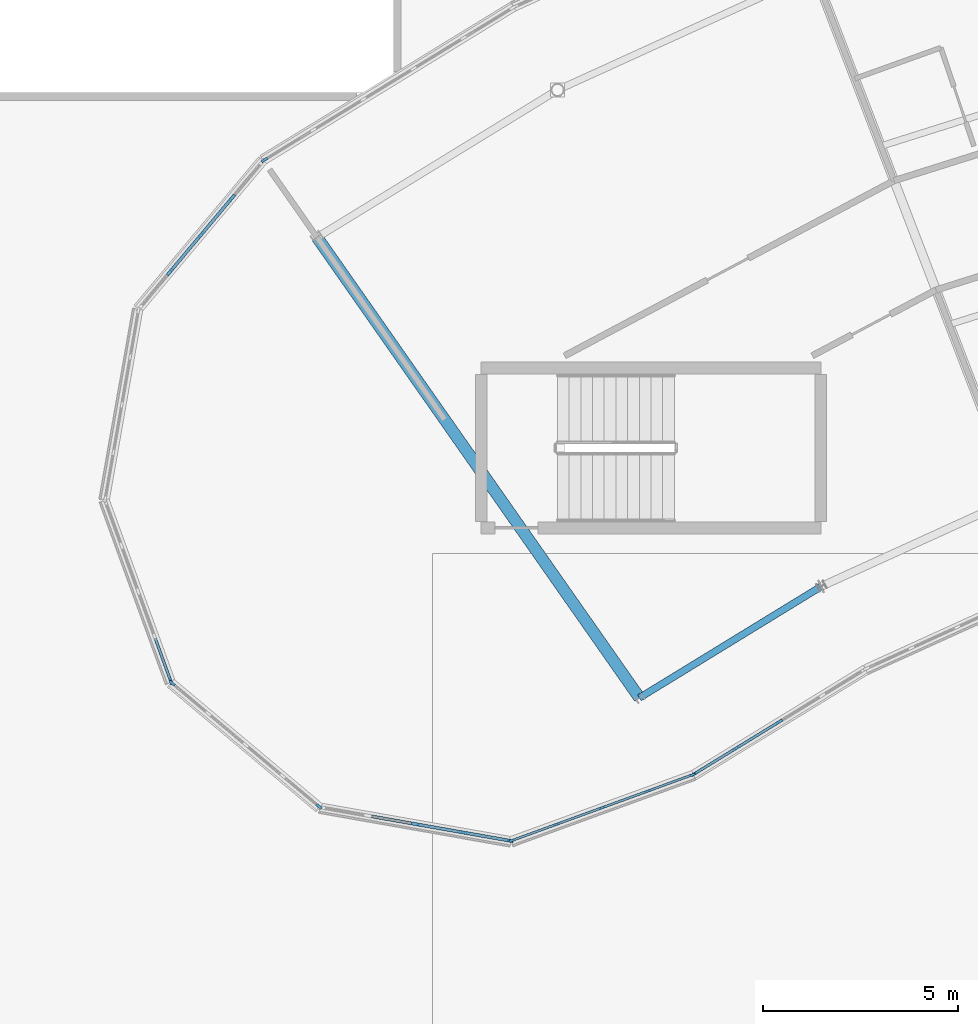
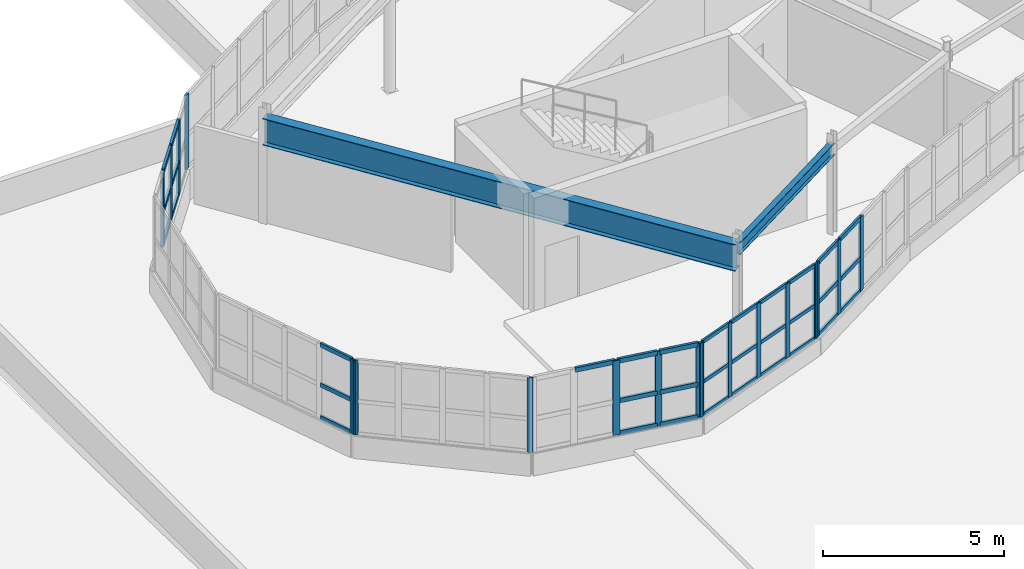
# One storey, part 40 of 128: 52 members, 2 beams, 7 elements without a shape of their own.
"""IFC4 building model written with IfcOpenShell, lengths in metres."""

from ifc_helpers import new_model, si_unit, direction, frame, origin, origin_2d, place, context, subcontext, project, spatial, rectangle, i_section, extrude, material, layer, layer_set, material_profile, profile_set, type_object, element, aggregate, save


model = new_model("IFC4")

# Units and contexts
model_context = context("Model", 3, precision=1e-05, world=origin(), true_north=direction((0.0, 1.0)))
body_context = subcontext(model_context, "Body", "Model", "MODEL_VIEW")
ifc_project = project(units=[si_unit("LENGTHUNIT", "METRE"), si_unit("AREAUNIT", "SQUARE_METRE"), si_unit("VOLUMEUNIT", "CUBIC_METRE"), si_unit("PLANEANGLEUNIT", "RADIAN"), si_unit("MASSUNIT", "GRAM", prefix="KILO")], contexts=[model_context])

# Site, building, storey
site_placement = place(None, origin())
site = spatial("IfcSite", under=ifc_project, at=site_placement, CompositionType="ELEMENT")
building_placement = place(site_placement, origin())
building = spatial("IfcBuilding", under=site, at=building_placement, Name="Tarnwether General Hospital", CompositionType="ELEMENT")
storey_placement = place(building_placement, frame((0.0, 0.0, 14.39990234375)))
storey = spatial("IfcBuildingStorey", under=building, at=storey_placement, Name="L03", CompositionType="ELEMENT", Elevation=14.39990234375)

# Beams
ifc_material_1 = material(Name="Steel Grade 350 (350 MPa)", Category="steel")
ifc_material_profile_1 = material_profile(ifc_material_1, i_section(OverallWidth=0.300048828125, OverallDepth=0.89990234375, WebThickness=0.011962890625, FlangeThickness=0.02001953125, at=origin_2d()), Name="900WB175")
ifc_profile_set_1 = profile_set([ifc_material_profile_1], Name="Steel Grade 350 (350 MPa)")
beam_type_1 = type_object("IfcBeamType", Name="BM-G01", PredefinedType="BEAM", material=ifc_profile_set_1)
beam_1_placement = place(storey_placement, frame((58.0439453125, 111.493896484375, 3.110107421875), z_axis=(0.573596601347, -0.819137924237, 0.0), x_axis=(0.819137924237, 0.573596601347, 0.0)))
element("IfcBeam", 1, at=beam_1_placement, inside=storey, type_object=beam_type_1, Name="Curved Ward NW Radial Girder BMG-L03-5804_11149-6630_9970-1917", PredefinedType="BEAM", context=body_context, shape_type="SweptSolid", body=[
    extrude(i_section(OverallWidth=0.300048828125, OverallDepth=0.89990234375, WebThickness=0.011962890625, FlangeThickness=0.02001953125, at=origin_2d()), origin(), (0.0, 0.0, 1.0), 14.400390625),
])
ifc_material_2 = material(Name="Steel Grade 350 (350 MPa)", Category="steel")
ifc_material_profile_2 = material_profile(ifc_material_2, i_section(OverallWidth=0.177978515625, OverallDepth=0.403076171875, WebThickness=0.007568359375, FlangeThickness=0.010986328125, at=origin_2d()), Name="410UB53.7")
ifc_profile_set_2 = profile_set([ifc_material_profile_2], Name="Steel Grade 350 (350 MPa)")
beam_type_2 = type_object("IfcBeamType", Name="BM-SP2", PredefinedType="SPANDREL", material=ifc_profile_set_2)
beam_2_placement = place(storey_placement, frame((66.303955078125, 99.697998046875, 3.358642578125), z_axis=(0.85265897909, 0.522467860617, 0.0), x_axis=(-0.522467860617, 0.85265897909, 0.0)))
element("IfcBeam", 2, at=beam_2_placement, inside=storey, type_object=beam_type_2, Name="Curved Ward NW Inner Spandrel BMG-L03-6630_9970-7097_10256-1924", PredefinedType="SPANDREL", context=body_context, shape_type="SweptSolid", body=[
    extrude(i_section(OverallWidth=0.177978515625, OverallDepth=0.403076171875, WebThickness=0.007568359375, FlangeThickness=0.010986328125, at=origin_2d()), origin(), (0.0, 0.0, 1.0), 5.469970703125),
])

# Curtain wall, members
ifc_material_3 = material(Name="Anodised aluminium", Category="aluminium")
ifc_layer_1 = layer(ifc_material_3, 0.159912109375)
ifc_layer_set_1 = layer_set([ifc_layer_1], Name="Anodised aluminium")
curtain_wall_type_1 = type_object("IfcCurtainWallType", Name="CW-03", PredefinedType="NOTDEFINED", material=ifc_layer_set_1)
curtain_wall_1_placement = place(storey_placement, origin())
curtain_wall_1 = element("IfcCurtainWall", 3, at=curtain_wall_1_placement, inside=storey, type_object=curtain_wall_type_1, Name="Curtain Wall CWG-L03-677_977-0005", PredefinedType="NOTDEFINED")
ifc_material_4 = material(Name="Anodised aluminium", Category="aluminium")
ifc_material_profile_3 = material_profile(ifc_material_4, rectangle(XDim=0.06005859375, YDim=0.159912109375, at=origin_2d()), Name="ALU-MUL-60x160")
ifc_profile_set_3 = profile_set([ifc_material_profile_3], Name="Anodised aluminium")
member_type_1 = type_object("IfcMemberType", Name="CW-ML1", PredefinedType="MULLION", material=ifc_profile_set_3)
member_1_placement = place(storey_placement, frame((67.65185546875, 97.7216796875, 1.050048828125), z_axis=(0.0, 0.0, 1.0), x_axis=(0.342130850834, -0.939652319163, 0.0)))
member_1 = element("IfcMember", 4, at=member_1_placement, type_object=member_type_1, Name="CW-03 mullion 1", PredefinedType="MULLION", context=body_context, shape_type="SweptSolid", body=[
    extrude(rectangle(XDim=0.06005859375, YDim=0.159912109375, at=origin_2d()), origin(), (0.0, 0.0, 1.0), 2.510009765625),
])
member_2_placement = place(storey_placement, frame((66.5126953125, 97.306884765625, 1.050048828125), z_axis=(0.0, 0.0, 1.0), x_axis=(0.342130850834, -0.939652319163, 0.0)))
member_2 = element("IfcMember", 5, at=member_2_placement, type_object=member_type_1, Name="CW-03 mullion 2", PredefinedType="MULLION", context=body_context, shape_type="SweptSolid", body=[
    extrude(rectangle(XDim=0.06005859375, YDim=0.159912109375, at=origin_2d()), origin(), (0.0, 0.0, 1.0), 2.510009765625),
])
member_3_placement = place(storey_placement, frame((65.345458984375, 96.882080078125, 1.050048828125), z_axis=(0.0, 0.0, 1.0), x_axis=(0.342130850834, -0.939652319163, 0.0)))
member_3 = element("IfcMember", 6, at=member_3_placement, type_object=member_type_1, Name="CW-03 mullion 3", PredefinedType="MULLION", context=body_context, shape_type="SweptSolid", body=[
    extrude(rectangle(XDim=0.06005859375, YDim=0.159912109375, at=origin_2d()), origin(), (0.0, 0.0, 1.0), 2.510009765625),
])
member_4_placement = place(storey_placement, frame((64.17822265625, 96.45703125, 1.050048828125), z_axis=(0.0, 0.0, 1.0), x_axis=(0.342130850834, -0.939652319163, 0.0)))
member_4 = element("IfcMember", 7, at=member_4_placement, type_object=member_type_1, Name="CW-03 mullion 4", PredefinedType="MULLION", context=body_context, shape_type="SweptSolid", body=[
    extrude(rectangle(XDim=0.06005859375, YDim=0.159912109375, at=origin_2d()), origin(), (0.0, 0.0, 1.0), 2.510009765625),
])
member_5_placement = place(storey_placement, frame((63.039306640625, 96.042236328125, 1.050048828125), z_axis=(0.0, 0.0, 1.0), x_axis=(0.342130850834, -0.939652319163, 0.0)))
member_5 = element("IfcMember", 8, at=member_5_placement, type_object=member_type_1, Name="CW-03 mullion 5", PredefinedType="MULLION", context=body_context, shape_type="SweptSolid", body=[
    extrude(rectangle(XDim=0.06005859375, YDim=0.159912109375, at=origin_2d()), origin(), (0.0, 0.0, 1.0), 2.510009765625),
])

# Curtain wall, member
curtain_wall_2_placement = place(storey_placement, origin())
curtain_wall_2 = element("IfcCurtainWall", 9, at=curtain_wall_2_placement, inside=storey, type_object=curtain_wall_type_1, Name="Curtain Wall CWG-L03-543_1001-0002", PredefinedType="NOTDEFINED")
ifc_material_5 = material(Name="Anodised aluminium", Category="aluminium")
ifc_material_profile_4 = material_profile(ifc_material_5, rectangle(XDim=0.070068359375, YDim=0.179931640625, at=origin_2d()), Name="ALU-MUL-70x180")
ifc_profile_set_4 = profile_set([ifc_material_profile_4], Name="Anodised aluminium")
member_type_2 = type_object("IfcMemberType", Name="CW-ML2", PredefinedType="MULLION", material=ifc_profile_set_4)
member_6_placement = place(storey_placement, frame((54.298095703125, 100.122802734375, 1.050048828125), z_axis=(0.0, 0.0, 1.0), x_axis=(-0.939717006582, -0.341953136469, 0.0)))
member_6 = element("IfcMember", 10, at=member_6_placement, type_object=member_type_2, Name="CW-03 mullion 1", PredefinedType="MULLION", context=body_context, shape_type="SweptSolid", body=[
    extrude(rectangle(XDim=0.070068359375, YDim=0.179931640625, at=origin_2d()), origin(), (0.0, 0.0, 1.0), 2.510009765625),
])

# Curtain wall, members
curtain_wall_3_placement = place(storey_placement, origin())
curtain_wall_3 = element("IfcCurtainWall", 11, at=curtain_wall_3_placement, inside=storey, type_object=curtain_wall_type_1, Name="Curtain Wall CWG-L03-721_1004-0006", PredefinedType="NOTDEFINED")
member_7_placement = place(storey_placement, frame((69.886962890625, 99.08447265625, 1.050048828125), z_axis=(0.0, 0.0, 1.0), x_axis=(0.522512231483, -0.852631789198, 0.0)))
member_7 = element("IfcMember", 12, at=member_7_placement, type_object=member_type_2, Name="CW-03 mullion 3", PredefinedType="MULLION", context=body_context, shape_type="SweptSolid", body=[
    extrude(rectangle(XDim=0.070068359375, YDim=0.179931640625, at=origin_2d()), origin(), (0.0, 0.0, 1.0), 2.510009765625),
])
member_8_placement = place(storey_placement, frame((68.783447265625, 98.408203125, 1.050048828125), z_axis=(0.0, 0.0, 1.0), x_axis=(0.522512231483, -0.852631789198, 0.0)))
member_8 = element("IfcMember", 13, at=member_8_placement, type_object=member_type_2, Name="CW-03 mullion 4", PredefinedType="MULLION", context=body_context, shape_type="SweptSolid", body=[
    extrude(rectangle(XDim=0.070068359375, YDim=0.179931640625, at=origin_2d()), origin(), (0.0, 0.0, 1.0), 2.510009765625),
])
member_9_placement = place(storey_placement, frame((67.7099609375, 97.750244140625, 1.050048828125), z_axis=(0.0, 0.0, 1.0), x_axis=(0.522512231483, -0.852631789198, 0.0)))
member_9 = element("IfcMember", 14, at=member_9_placement, type_object=member_type_2, Name="CW-03 mullion 5", PredefinedType="MULLION", context=body_context, shape_type="SweptSolid", body=[
    extrude(rectangle(XDim=0.070068359375, YDim=0.179931640625, at=origin_2d()), origin(), (0.0, 0.0, 1.0), 2.510009765625),
])

curtain_wall_4_placement = place(storey_placement, origin())
curtain_wall_4 = element("IfcCurtainWall", 15, at=curtain_wall_4_placement, inside=storey, type_object=curtain_wall_type_1, Name="Curtain Wall CWG-L03-581_969-0003", PredefinedType="NOTDEFINED")
ifc_material_6 = material(Name="Anodised aluminium", Category="aluminium")
ifc_material_profile_5 = material_profile(ifc_material_6, rectangle(XDim=0.06494140625, YDim=0.169921875, at=origin_2d()), Name="ALU-MUL-65x170")
ifc_profile_set_5 = profile_set([ifc_material_profile_5], Name="Anodised aluminium")
member_type_3 = type_object("IfcMemberType", Name="CW-ML3", PredefinedType="MULLION", material=ifc_profile_set_5)
member_10_placement = place(storey_placement, frame((58.092041015625, 96.915771484375, 1.050048828125), z_axis=(0.0, 0.0, 1.0), x_axis=(-0.64285227611, -0.765990176896, 0.0)))
member_10 = element("IfcMember", 16, at=member_10_placement, type_object=member_type_3, Name="CW-03 mullion 1", PredefinedType="MULLION", context=body_context, shape_type="SweptSolid", body=[
    extrude(rectangle(XDim=0.06494140625, YDim=0.169921875, at=origin_2d()), origin(), (0.0, 0.0, 1.0), 2.510009765625),
])
member_11_placement = place(storey_placement, frame((54.3349609375, 100.069091796875, 1.050048828125), z_axis=(0.0, 0.0, 1.0), x_axis=(-0.64285227611, -0.765990176896, 0.0)))
member_11 = element("IfcMember", 17, at=member_11_placement, type_object=member_type_3, Name="CW-03 mullion 5", PredefinedType="MULLION", context=body_context, shape_type="SweptSolid", body=[
    extrude(rectangle(XDim=0.06494140625, YDim=0.169921875, at=origin_2d()), origin(), (0.0, 0.0, 1.0), 2.510009765625),
])
aggregate(curtain_wall_4, [member_10, member_11])

# Curtain wall, member
ifc_material_7 = material(Name="Anodised aluminium", Category="aluminium")
ifc_layer_2 = layer(ifc_material_7, 0.159912109375)
ifc_layer_set_2 = layer_set([ifc_layer_2], Name="Anodised aluminium")
curtain_wall_type_2 = type_object("IfcCurtainWallType", Name="CW-01", PredefinedType="NOTDEFINED", material=ifc_layer_set_2)
curtain_wall_5_placement = place(storey_placement, origin())
curtain_wall_5 = element("IfcCurtainWall", 18, at=curtain_wall_5_placement, inside=storey, type_object=curtain_wall_type_2, Name="Curtain Wall CWG-L03-567_1135-0031", PredefinedType="NOTDEFINED")
member_12_placement = place(storey_placement, frame((56.69580078125, 113.47705078125, 1.050048828125), z_axis=(0.0, 0.0, 1.0), x_axis=(-0.522509056361, 0.852633734977, 0.0)))
member_12 = element("IfcMember", 19, at=member_12_placement, type_object=member_type_3, Name="CW-01 mullion 1", PredefinedType="MULLION", context=body_context, shape_type="SweptSolid", body=[
    extrude(rectangle(XDim=0.06494140625, YDim=0.169921875, at=origin_2d()), origin(), (0.0, 0.0, 1.0), 2.510009765625),
])
aggregate(curtain_wall_5, [member_12])

# Curtain wall, members
curtain_wall_6_placement = place(storey_placement, origin())
curtain_wall_6 = element("IfcCurtainWall", 20, at=curtain_wall_6_placement, inside=storey, type_object=curtain_wall_type_1, Name="Curtain Wall CWG-L03-630_960-0004", PredefinedType="NOTDEFINED")
ifc_material_8 = material(Name="Anodised aluminium", Category="aluminium")
ifc_material_profile_6 = material_profile(ifc_material_8, rectangle(XDim=0.080078125, YDim=0.199951171875, at=origin_2d()), Name="ALU-MUL-80x200")
ifc_profile_set_6 = profile_set([ifc_material_profile_6], Name="Anodised aluminium")
member_type_4 = type_object("IfcMemberType", Name="CW-ML4", PredefinedType="MULLION", material=ifc_profile_set_6)
member_13_placement = place(storey_placement, frame((62.9716796875, 96.0390625, 1.050048828125), z_axis=(0.0, 0.0, 1.0), x_axis=(-0.173659059054, -0.984805834268, 0.0)))
member_13 = element("IfcMember", 21, at=member_13_placement, type_object=member_type_4, Name="CW-03 mullion 1", PredefinedType="MULLION", context=body_context, shape_type="SweptSolid", body=[
    extrude(rectangle(XDim=0.080078125, YDim=0.199951171875, at=origin_2d()), origin(), (0.0, 0.0, 1.0), 2.510009765625),
])
member_14_placement = place(storey_placement, frame((61.78759765625, 96.247802734375, 1.050048828125), z_axis=(0.0, 0.0, 1.0), x_axis=(-0.173659059054, -0.984805834268, 0.0)))
member_14 = element("IfcMember", 22, at=member_14_placement, type_object=member_type_4, Name="CW-03 mullion 2", PredefinedType="MULLION", context=body_context, shape_type="SweptSolid", body=[
    extrude(rectangle(XDim=0.080078125, YDim=0.199951171875, at=origin_2d()), origin(), (0.0, 0.0, 1.0), 2.510009765625),
])
member_15_placement = place(storey_placement, frame((60.56396484375, 96.46337890625, 1.050048828125), z_axis=(0.0, 0.0, 1.0), x_axis=(-0.173659059054, -0.984805834268, 0.0)))
member_15 = element("IfcMember", 23, at=member_15_placement, type_object=member_type_4, Name="CW-03 mullion 3", PredefinedType="MULLION", context=body_context, shape_type="SweptSolid", body=[
    extrude(rectangle(XDim=0.080078125, YDim=0.199951171875, at=origin_2d()), origin(), (0.0, 0.0, 1.0), 2.510009765625),
])

curtain_wall_7_placement = place(storey_placement, origin())
curtain_wall_7 = element("IfcCurtainWall", 24, at=curtain_wall_7_placement, inside=storey, type_object=curtain_wall_type_1, Name="Curtain Wall CWG-L03-535_1097-0032", PredefinedType="NOTDEFINED")
member_16_placement = place(storey_placement, frame((54.271728515625, 110.604736328125, 1.050048828125), z_axis=(0.0, 0.0, 1.0), x_axis=(-0.765990176896, 0.64285227611, 0.0)))
member_16 = element("IfcMember", 25, at=member_16_placement, type_object=member_type_4, Name="CW-03 mullion 2", PredefinedType="MULLION", context=body_context, shape_type="SweptSolid", body=[
    extrude(rectangle(XDim=0.080078125, YDim=0.199951171875, at=origin_2d()), origin(), (0.0, 0.0, 1.0), 2.510009765625),
])
member_17_placement = place(storey_placement, frame((55.070556640625, 111.556396484375, 1.050048828125), z_axis=(0.0, 0.0, 1.0), x_axis=(-0.765990176896, 0.64285227611, 0.0)))
member_17 = element("IfcMember", 26, at=member_17_placement, type_object=member_type_4, Name="CW-03 mullion 3", PredefinedType="MULLION", context=body_context, shape_type="SweptSolid", body=[
    extrude(rectangle(XDim=0.080078125, YDim=0.199951171875, at=origin_2d()), origin(), (0.0, 0.0, 1.0), 2.510009765625),
])
member_18_placement = place(storey_placement, frame((55.869140625, 112.50830078125, 1.050048828125), z_axis=(0.0, 0.0, 1.0), x_axis=(-0.765990176896, 0.64285227611, 0.0)))
member_18 = element("IfcMember", 27, at=member_18_placement, type_object=member_type_4, Name="CW-03 mullion 4", PredefinedType="MULLION", context=body_context, shape_type="SweptSolid", body=[
    extrude(rectangle(XDim=0.080078125, YDim=0.199951171875, at=origin_2d()), origin(), (0.0, 0.0, 1.0), 2.510009765625),
])

# Member
ifc_material_9 = material(Name="Anodised aluminium", Category="aluminium")
ifc_material_profile_7 = material_profile(ifc_material_9, rectangle(XDim=0.06005859375, YDim=0.1201171875, at=origin_2d()), Name="ALU-TRN-60x120")
ifc_profile_set_7 = profile_set([ifc_material_profile_7], Name="Anodised aluminium")
member_type_5 = type_object("IfcMemberType", Name="CW-TR1", PredefinedType="USERDEFINED", material=ifc_profile_set_7)
member_19_placement = place(storey_placement, frame((67.62353515625, 97.71142578125, 1.080078125), z_axis=(-0.939681996159, -0.342049332837, 0.0), x_axis=(0.342049332837, -0.939681996159, 0.0)))
member_19 = element("IfcMember", 28, at=member_19_placement, type_object=member_type_5, Name="CW-03 transom 1.1", ObjectType="TRANSOM", PredefinedType="USERDEFINED", context=body_context, shape_type="SweptSolid", body=[
    extrude(rectangle(XDim=0.06005859375, YDim=0.1201171875, at=origin_2d()), origin(), (0.0, 0.0, 1.0), 1.152099609375),
])

member_20_placement = place(storey_placement, frame((67.62353515625, 97.71142578125, 2.1796875), z_axis=(-0.939681996159, -0.342049332837, 0.0), x_axis=(0.342049332837, -0.939681996159, 0.0)))
member_20 = element("IfcMember", 29, at=member_20_placement, type_object=member_type_5, Name="CW-03 transom 1.2", ObjectType="TRANSOM", PredefinedType="USERDEFINED", context=body_context, shape_type="SweptSolid", body=[
    extrude(rectangle(XDim=0.06005859375, YDim=0.1201171875, at=origin_2d()), origin(), (0.0, 0.0, 1.0), 1.152099609375),
])

member_21_placement = place(storey_placement, frame((67.62353515625, 97.71142578125, 3.530029296875), z_axis=(-0.939681996159, -0.342049332837, 0.0), x_axis=(0.342049332837, -0.939681996159, 0.0)))
member_21 = element("IfcMember", 30, at=member_21_placement, type_object=member_type_5, Name="CW-03 transom 1.3", ObjectType="TRANSOM", PredefinedType="USERDEFINED", context=body_context, shape_type="SweptSolid", body=[
    extrude(rectangle(XDim=0.06005859375, YDim=0.1201171875, at=origin_2d()), origin(), (0.0, 0.0, 1.0), 1.152099609375),
])

member_22_placement = place(storey_placement, frame((66.484619140625, 97.296630859375, 1.080078125), z_axis=(-0.939696906367, -0.342008368559, 0.0), x_axis=(0.342008368559, -0.939696906367, 0.0)))
member_22 = element("IfcMember", 31, at=member_22_placement, type_object=member_type_5, Name="CW-03 transom 2.1", ObjectType="TRANSOM", PredefinedType="USERDEFINED", context=body_context, shape_type="SweptSolid", body=[
    extrude(rectangle(XDim=0.06005859375, YDim=0.1201171875, at=origin_2d()), origin(), (0.0, 0.0, 1.0), 1.18212890625),
])

member_23_placement = place(storey_placement, frame((66.484619140625, 97.296630859375, 2.1796875), z_axis=(-0.939696906367, -0.342008368559, 0.0), x_axis=(0.342008368559, -0.939696906367, 0.0)))
member_23 = element("IfcMember", 32, at=member_23_placement, type_object=member_type_5, Name="CW-03 transom 2.2", ObjectType="TRANSOM", PredefinedType="USERDEFINED", context=body_context, shape_type="SweptSolid", body=[
    extrude(rectangle(XDim=0.06005859375, YDim=0.1201171875, at=origin_2d()), origin(), (0.0, 0.0, 1.0), 1.18212890625),
])

member_24_placement = place(storey_placement, frame((66.484619140625, 97.296630859375, 3.530029296875), z_axis=(-0.939696906367, -0.342008368559, 0.0), x_axis=(0.342008368559, -0.939696906367, 0.0)))
member_24 = element("IfcMember", 33, at=member_24_placement, type_object=member_type_5, Name="CW-03 transom 2.3", ObjectType="TRANSOM", PredefinedType="USERDEFINED", context=body_context, shape_type="SweptSolid", body=[
    extrude(rectangle(XDim=0.06005859375, YDim=0.1201171875, at=origin_2d()), origin(), (0.0, 0.0, 1.0), 1.18212890625),
])

member_25_placement = place(storey_placement, frame((65.3173828125, 96.871826171875, 1.080078125), z_axis=(-0.939630518913, -0.342190718646, 0.0), x_axis=(0.342190718646, -0.939630518913, 0.0)))
member_25 = element("IfcMember", 34, at=member_25_placement, type_object=member_type_5, Name="CW-03 transom 3.1", ObjectType="TRANSOM", PredefinedType="USERDEFINED", context=body_context, shape_type="SweptSolid", body=[
    extrude(rectangle(XDim=0.06005859375, YDim=0.1201171875, at=origin_2d()), origin(), (0.0, 0.0, 1.0), 1.18212890625),
])

member_26_placement = place(storey_placement, frame((65.3173828125, 96.871826171875, 2.1796875), z_axis=(-0.939630518913, -0.342190718646, 0.0), x_axis=(0.342190718646, -0.939630518913, 0.0)))
member_26 = element("IfcMember", 35, at=member_26_placement, type_object=member_type_5, Name="CW-03 transom 3.2", ObjectType="TRANSOM", PredefinedType="USERDEFINED", context=body_context, shape_type="SweptSolid", body=[
    extrude(rectangle(XDim=0.06005859375, YDim=0.1201171875, at=origin_2d()), origin(), (0.0, 0.0, 1.0), 1.18212890625),
])

member_27_placement = place(storey_placement, frame((65.3173828125, 96.871826171875, 3.530029296875), z_axis=(-0.939630518913, -0.342190718646, 0.0), x_axis=(0.342190718646, -0.939630518913, 0.0)))
member_27 = element("IfcMember", 36, at=member_27_placement, type_object=member_type_5, Name="CW-03 transom 3.3", ObjectType="TRANSOM", PredefinedType="USERDEFINED", context=body_context, shape_type="SweptSolid", body=[
    extrude(rectangle(XDim=0.06005859375, YDim=0.1201171875, at=origin_2d()), origin(), (0.0, 0.0, 1.0), 1.18212890625),
])

member_28_placement = place(storey_placement, frame((64.150146484375, 96.44677734375, 1.080078125), z_axis=(-0.939638678412, -0.342168312432, 0.0), x_axis=(0.342168312432, -0.939638678412, 0.0)))
member_28 = element("IfcMember", 37, at=member_28_placement, type_object=member_type_5, Name="CW-03 transom 4.1", ObjectType="TRANSOM", PredefinedType="USERDEFINED", context=body_context, shape_type="SweptSolid", body=[
    extrude(rectangle(XDim=0.06005859375, YDim=0.1201171875, at=origin_2d()), origin(), (0.0, 0.0, 1.0), 1.15234375),
])

member_29_placement = place(storey_placement, frame((64.150146484375, 96.44677734375, 2.1796875), z_axis=(-0.939638678412, -0.342168312432, 0.0), x_axis=(0.342168312432, -0.939638678412, 0.0)))
member_29 = element("IfcMember", 38, at=member_29_placement, type_object=member_type_5, Name="CW-03 transom 4.2", ObjectType="TRANSOM", PredefinedType="USERDEFINED", context=body_context, shape_type="SweptSolid", body=[
    extrude(rectangle(XDim=0.06005859375, YDim=0.1201171875, at=origin_2d()), origin(), (0.0, 0.0, 1.0), 1.15234375),
])

member_30_placement = place(storey_placement, frame((64.150146484375, 96.44677734375, 3.530029296875), z_axis=(-0.939638678412, -0.342168312432, 0.0), x_axis=(0.342168312432, -0.939638678412, 0.0)))
member_30 = element("IfcMember", 39, at=member_30_placement, type_object=member_type_5, Name="CW-03 transom 4.3", ObjectType="TRANSOM", PredefinedType="USERDEFINED", context=body_context, shape_type="SweptSolid", body=[
    extrude(rectangle(XDim=0.06005859375, YDim=0.1201171875, at=origin_2d()), origin(), (0.0, 0.0, 1.0), 1.15234375),
])

aggregate(curtain_wall_1, [member_1, member_2, member_3, member_4, member_5, member_19, member_20, member_21, member_22, member_23, member_24, member_25, member_26, member_27, member_28, member_29, member_30])

ifc_material_10 = material(Name="Anodised aluminium", Category="aluminium")
ifc_material_profile_8 = material_profile(ifc_material_10, rectangle(XDim=0.070068359375, YDim=0.139892578125, at=origin_2d()), Name="ALU-TRN-70x140")
ifc_profile_set_8 = profile_set([ifc_material_profile_8], Name="Anodised aluminium")
member_type_6 = type_object("IfcMemberType", Name="CW-TR2", PredefinedType="USERDEFINED", material=ifc_profile_set_8)
member_31_placement = place(storey_placement, frame((54.2861328125, 100.15576171875, 1.085205078125), z_axis=(-0.342001618739, 0.939699362977, 0.0), x_axis=(-0.939699362977, -0.342001618739, 0.0)))
member_31 = element("IfcMember", 40, at=member_31_placement, type_object=member_type_6, Name="CW-03 transom 1.1", ObjectType="TRANSOM", PredefinedType="USERDEFINED", context=body_context, shape_type="SweptSolid", body=[
    extrude(rectangle(XDim=0.070068359375, YDim=0.139892578125, at=origin_2d()), origin(), (0.0, 0.0, 1.0), 1.13720703125),
])

member_32_placement = place(storey_placement, frame((54.2861328125, 100.15576171875, 2.1796875), z_axis=(-0.342001618739, 0.939699362977, 0.0), x_axis=(-0.939699362977, -0.342001618739, 0.0)))
member_32 = element("IfcMember", 41, at=member_32_placement, type_object=member_type_6, Name="CW-03 transom 1.2", ObjectType="TRANSOM", PredefinedType="USERDEFINED", context=body_context, shape_type="SweptSolid", body=[
    extrude(rectangle(XDim=0.070068359375, YDim=0.139892578125, at=origin_2d()), origin(), (0.0, 0.0, 1.0), 1.13720703125),
])

member_33_placement = place(storey_placement, frame((54.2861328125, 100.15576171875, 3.525146484375), z_axis=(-0.342001618739, 0.939699362977, 0.0), x_axis=(-0.939699362977, -0.342001618739, 0.0)))
member_33 = element("IfcMember", 42, at=member_33_placement, type_object=member_type_6, Name="CW-03 transom 1.3", ObjectType="TRANSOM", PredefinedType="USERDEFINED", context=body_context, shape_type="SweptSolid", body=[
    extrude(rectangle(XDim=0.070068359375, YDim=0.139892578125, at=origin_2d()), origin(), (0.0, 0.0, 1.0), 1.13720703125),
])

aggregate(curtain_wall_2, [member_6, member_31, member_32, member_33])

member_34_placement = place(storey_placement, frame((69.857177734375, 99.066162109375, 1.085205078125), z_axis=(-0.852670027324, -0.522449829651, 0.0), x_axis=(0.522449829651, -0.852670027324, 0.0)))
member_34 = element("IfcMember", 43, at=member_34_placement, type_object=member_type_6, Name="CW-03 transom 3.1", ObjectType="TRANSOM", PredefinedType="USERDEFINED", context=body_context, shape_type="SweptSolid", body=[
    extrude(rectangle(XDim=0.070068359375, YDim=0.139892578125, at=origin_2d()), origin(), (0.0, 0.0, 1.0), 1.224365234375),
])

member_35_placement = place(storey_placement, frame((69.857177734375, 99.066162109375, 2.1796875), z_axis=(-0.852670027324, -0.522449829651, 0.0), x_axis=(0.522449829651, -0.852670027324, 0.0)))
member_35 = element("IfcMember", 44, at=member_35_placement, type_object=member_type_6, Name="CW-03 transom 3.2", ObjectType="TRANSOM", PredefinedType="USERDEFINED", context=body_context, shape_type="SweptSolid", body=[
    extrude(rectangle(XDim=0.070068359375, YDim=0.139892578125, at=origin_2d()), origin(), (0.0, 0.0, 1.0), 1.224365234375),
])

member_36_placement = place(storey_placement, frame((69.857177734375, 99.066162109375, 3.525146484375), z_axis=(-0.852670027324, -0.522449829651, 0.0), x_axis=(0.522449829651, -0.852670027324, 0.0)))
member_36 = element("IfcMember", 45, at=member_36_placement, type_object=member_type_6, Name="CW-03 transom 3.3", ObjectType="TRANSOM", PredefinedType="USERDEFINED", context=body_context, shape_type="SweptSolid", body=[
    extrude(rectangle(XDim=0.070068359375, YDim=0.139892578125, at=origin_2d()), origin(), (0.0, 0.0, 1.0), 1.224365234375),
])

member_37_placement = place(storey_placement, frame((68.753662109375, 98.389892578125, 1.085205078125), z_axis=(-0.852636658785, -0.522504285242, 0.0), x_axis=(0.522504285242, -0.852636658785, 0.0)))
member_37 = element("IfcMember", 46, at=member_37_placement, type_object=member_type_6, Name="CW-03 transom 4.1", ObjectType="TRANSOM", PredefinedType="USERDEFINED", context=body_context, shape_type="SweptSolid", body=[
    extrude(rectangle(XDim=0.070068359375, YDim=0.139892578125, at=origin_2d()), origin(), (0.0, 0.0, 1.0), 1.189208984375),
])

member_38_placement = place(storey_placement, frame((68.753662109375, 98.389892578125, 2.1796875), z_axis=(-0.852636658785, -0.522504285242, 0.0), x_axis=(0.522504285242, -0.852636658785, 0.0)))
member_38 = element("IfcMember", 47, at=member_38_placement, type_object=member_type_6, Name="CW-03 transom 4.2", ObjectType="TRANSOM", PredefinedType="USERDEFINED", context=body_context, shape_type="SweptSolid", body=[
    extrude(rectangle(XDim=0.070068359375, YDim=0.139892578125, at=origin_2d()), origin(), (0.0, 0.0, 1.0), 1.189208984375),
])

member_39_placement = place(storey_placement, frame((68.753662109375, 98.389892578125, 3.525146484375), z_axis=(-0.852636658785, -0.522504285242, 0.0), x_axis=(0.522504285242, -0.852636658785, 0.0)))
member_39 = element("IfcMember", 48, at=member_39_placement, type_object=member_type_6, Name="CW-03 transom 4.3", ObjectType="TRANSOM", PredefinedType="USERDEFINED", context=body_context, shape_type="SweptSolid", body=[
    extrude(rectangle(XDim=0.070068359375, YDim=0.139892578125, at=origin_2d()), origin(), (0.0, 0.0, 1.0), 1.189208984375),
])

aggregate(curtain_wall_3, [member_7, member_8, member_9, member_34, member_35, member_36, member_37, member_38, member_39])

ifc_material_11 = material(Name="Anodised aluminium", Category="aluminium")
ifc_material_profile_9 = material_profile(ifc_material_11, rectangle(XDim=0.080078125, YDim=0.14990234375, at=origin_2d()), Name="ALU-TRN-80x150")
ifc_profile_set_9 = profile_set([ifc_material_profile_9], Name="Anodised aluminium")
member_type_7 = type_object("IfcMemberType", Name="CW-TR4", PredefinedType="USERDEFINED", material=ifc_profile_set_9)
member_40_placement = place(storey_placement, frame((62.93212890625, 96.0458984375, 1.090087890625), z_axis=(-0.984816391651, 0.173599178383, 0.0), x_axis=(-0.173599178383, -0.984816391651, 0.0)))
member_40 = element("IfcMember", 49, at=member_40_placement, type_object=member_type_7, Name="CW-03 transom 1.1", ObjectType="TRANSOM", PredefinedType="USERDEFINED", context=body_context, shape_type="SweptSolid", body=[
    extrude(rectangle(XDim=0.080078125, YDim=0.14990234375, at=origin_2d()), origin(), (0.0, 0.0, 1.0), 1.122314453125),
])

member_41_placement = place(storey_placement, frame((62.93212890625, 96.0458984375, 2.1796875), z_axis=(-0.984816391651, 0.173599178383, 0.0), x_axis=(-0.173599178383, -0.984816391651, 0.0)))
member_41 = element("IfcMember", 50, at=member_41_placement, type_object=member_type_7, Name="CW-03 transom 1.2", ObjectType="TRANSOM", PredefinedType="USERDEFINED", context=body_context, shape_type="SweptSolid", body=[
    extrude(rectangle(XDim=0.080078125, YDim=0.14990234375, at=origin_2d()), origin(), (0.0, 0.0, 1.0), 1.122314453125),
])

member_42_placement = place(storey_placement, frame((62.93212890625, 96.0458984375, 3.52001953125), z_axis=(-0.984816391651, 0.173599178383, 0.0), x_axis=(-0.173599178383, -0.984816391651, 0.0)))
member_42 = element("IfcMember", 51, at=member_42_placement, type_object=member_type_7, Name="CW-03 transom 1.3", ObjectType="TRANSOM", PredefinedType="USERDEFINED", context=body_context, shape_type="SweptSolid", body=[
    extrude(rectangle(XDim=0.080078125, YDim=0.14990234375, at=origin_2d()), origin(), (0.0, 0.0, 1.0), 1.122314453125),
])

member_43_placement = place(storey_placement, frame((61.748046875, 96.254638671875, 1.090087890625), z_axis=(-0.984800468802, 0.173689483408, 0.0), x_axis=(-0.173689483408, -0.984800468802, 0.0)))
member_43 = element("IfcMember", 52, at=member_43_placement, type_object=member_type_7, Name="CW-03 transom 2.1", ObjectType="TRANSOM", PredefinedType="USERDEFINED", context=body_context, shape_type="SweptSolid", body=[
    extrude(rectangle(XDim=0.080078125, YDim=0.14990234375, at=origin_2d()), origin(), (0.0, 0.0, 1.0), 1.162353515625),
])

member_44_placement = place(storey_placement, frame((61.748046875, 96.254638671875, 2.1796875), z_axis=(-0.984800468802, 0.173689483408, 0.0), x_axis=(-0.173689483408, -0.984800468802, 0.0)))
member_44 = element("IfcMember", 53, at=member_44_placement, type_object=member_type_7, Name="CW-03 transom 2.2", ObjectType="TRANSOM", PredefinedType="USERDEFINED", context=body_context, shape_type="SweptSolid", body=[
    extrude(rectangle(XDim=0.080078125, YDim=0.14990234375, at=origin_2d()), origin(), (0.0, 0.0, 1.0), 1.162353515625),
])

member_45_placement = place(storey_placement, frame((61.748046875, 96.254638671875, 3.52001953125), z_axis=(-0.984800468802, 0.173689483408, 0.0), x_axis=(-0.173689483408, -0.984800468802, 0.0)))
member_45 = element("IfcMember", 54, at=member_45_placement, type_object=member_type_7, Name="CW-03 transom 2.3", ObjectType="TRANSOM", PredefinedType="USERDEFINED", context=body_context, shape_type="SweptSolid", body=[
    extrude(rectangle(XDim=0.080078125, YDim=0.14990234375, at=origin_2d()), origin(), (0.0, 0.0, 1.0), 1.162353515625),
])

member_46_placement = place(storey_placement, frame((60.524658203125, 96.470458984375, 3.52001953125), z_axis=(-0.984800468802, 0.173689483408, 0.0), x_axis=(-0.173689483408, -0.984800468802, 0.0)))
member_46 = element("IfcMember", 55, at=member_46_placement, type_object=member_type_7, Name="CW-03 transom 3.3", ObjectType="TRANSOM", PredefinedType="USERDEFINED", context=body_context, shape_type="SweptSolid", body=[
    extrude(rectangle(XDim=0.080078125, YDim=0.14990234375, at=origin_2d()), origin(), (0.0, 0.0, 1.0), 1.162353515625),
])

aggregate(curtain_wall_6, [member_13, member_14, member_15, member_40, member_41, member_42, member_43, member_44, member_45, member_46])

member_47_placement = place(storey_placement, frame((54.29736328125, 110.635498046875, 1.090087890625), z_axis=(0.642886651766, 0.765961326035, 0.0), x_axis=(-0.765961326035, 0.642886651766, 0.0)))
member_47 = element("IfcMember", 56, at=member_47_placement, type_object=member_type_7, Name="CW-03 transom 2.1", ObjectType="TRANSOM", PredefinedType="USERDEFINED", context=body_context, shape_type="SweptSolid", body=[
    extrude(rectangle(XDim=0.080078125, YDim=0.14990234375, at=origin_2d()), origin(), (0.0, 0.0, 1.0), 1.162353515625),
])

member_48_placement = place(storey_placement, frame((54.29736328125, 110.635498046875, 2.1796875), z_axis=(0.642886651766, 0.765961326035, 0.0), x_axis=(-0.765961326035, 0.642886651766, 0.0)))
member_48 = element("IfcMember", 57, at=member_48_placement, type_object=member_type_7, Name="CW-03 transom 2.2", ObjectType="TRANSOM", PredefinedType="USERDEFINED", context=body_context, shape_type="SweptSolid", body=[
    extrude(rectangle(XDim=0.080078125, YDim=0.14990234375, at=origin_2d()), origin(), (0.0, 0.0, 1.0), 1.162353515625),
])

member_49_placement = place(storey_placement, frame((54.29736328125, 110.635498046875, 3.52001953125), z_axis=(0.642886651766, 0.765961326035, 0.0), x_axis=(-0.765961326035, 0.642886651766, 0.0)))
member_49 = element("IfcMember", 58, at=member_49_placement, type_object=member_type_7, Name="CW-03 transom 2.3", ObjectType="TRANSOM", PredefinedType="USERDEFINED", context=body_context, shape_type="SweptSolid", body=[
    extrude(rectangle(XDim=0.080078125, YDim=0.14990234375, at=origin_2d()), origin(), (0.0, 0.0, 1.0), 1.162353515625),
])

member_50_placement = place(storey_placement, frame((55.09619140625, 111.587158203125, 1.090087890625), z_axis=(0.642886651766, 0.765961326035, 0.0), x_axis=(-0.765961326035, 0.642886651766, 0.0)))
member_50 = element("IfcMember", 59, at=member_50_placement, type_object=member_type_7, Name="CW-03 transom 3.1", ObjectType="TRANSOM", PredefinedType="USERDEFINED", context=body_context, shape_type="SweptSolid", body=[
    extrude(rectangle(XDim=0.080078125, YDim=0.14990234375, at=origin_2d()), origin(), (0.0, 0.0, 1.0), 1.162353515625),
])

member_51_placement = place(storey_placement, frame((55.09619140625, 111.587158203125, 2.1796875), z_axis=(0.642886651766, 0.765961326035, 0.0), x_axis=(-0.765961326035, 0.642886651766, 0.0)))
member_51 = element("IfcMember", 60, at=member_51_placement, type_object=member_type_7, Name="CW-03 transom 3.2", ObjectType="TRANSOM", PredefinedType="USERDEFINED", context=body_context, shape_type="SweptSolid", body=[
    extrude(rectangle(XDim=0.080078125, YDim=0.14990234375, at=origin_2d()), origin(), (0.0, 0.0, 1.0), 1.162353515625),
])

member_52_placement = place(storey_placement, frame((55.09619140625, 111.587158203125, 3.52001953125), z_axis=(0.642886651766, 0.765961326035, 0.0), x_axis=(-0.765961326035, 0.642886651766, 0.0)))
member_52 = element("IfcMember", 61, at=member_52_placement, type_object=member_type_7, Name="CW-03 transom 3.3", ObjectType="TRANSOM", PredefinedType="USERDEFINED", context=body_context, shape_type="SweptSolid", body=[
    extrude(rectangle(XDim=0.080078125, YDim=0.14990234375, at=origin_2d()), origin(), (0.0, 0.0, 1.0), 1.162353515625),
])

aggregate(curtain_wall_7, [member_16, member_17, member_18, member_47, member_48, member_49, member_50, member_51, member_52])

save(model, "model.ifc")
